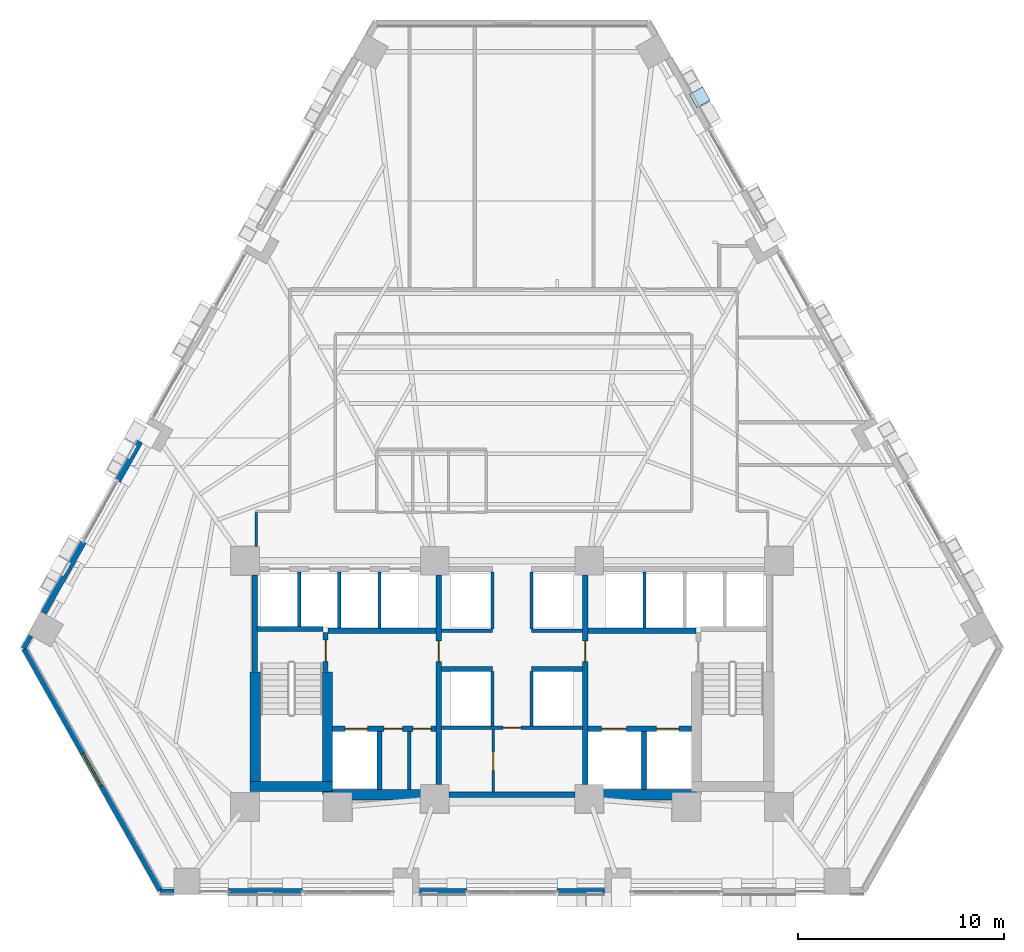
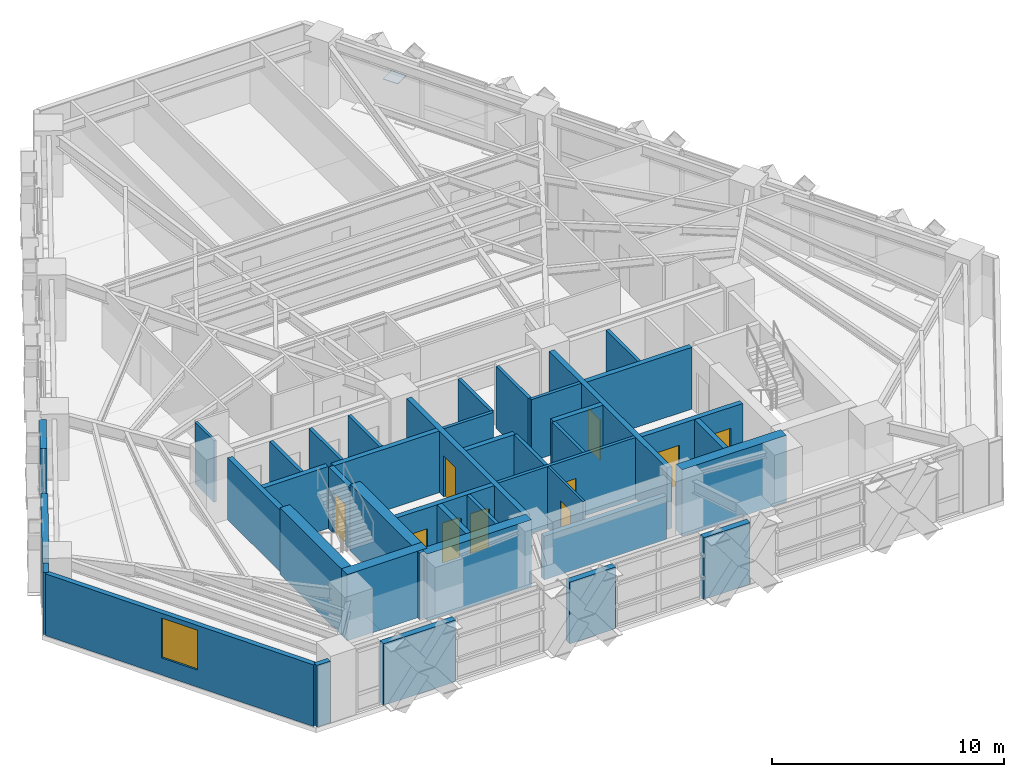
# One storey, part 7 of 13: 41 walls, 10 doors, 1 plate, 1 window, 11 openings.
"""IFC4 building model written with IfcOpenShell, lengths in metres."""

from ifc_helpers import new_model, si_unit, direction, frame, frame_2d, origin, origin_2d, place, context, subcontext, project, spatial, rectangle, extrude, material, layer, layer_set, type_object, element, fill, save


model = new_model("IFC4")

# Units and contexts
model_context = context("Model", 3, precision=1e-05, world=origin(), true_north=direction((0.0, 1.0)))
body_context = subcontext(model_context, "Body", "Model", "MODEL_VIEW")
ifc_project = project(units=[si_unit("LENGTHUNIT", "METRE"), si_unit("AREAUNIT", "SQUARE_METRE"), si_unit("VOLUMEUNIT", "CUBIC_METRE"), si_unit("PLANEANGLEUNIT", "RADIAN"), si_unit("MASSUNIT", "GRAM", prefix="KILO")], contexts=[model_context])

# Site, building, storey
site_placement = place(None, origin())
site = spatial("IfcSite", under=ifc_project, at=site_placement, CompositionType="ELEMENT")
building_placement = place(site_placement, origin())
building = spatial("IfcBuilding", under=site, at=building_placement, Name="Quenlor Broadcast Tower", CompositionType="ELEMENT")
storey_placement = place(building_placement, frame((0.0, 0.0, 31.10009765625)))
storey = spatial("IfcBuildingStorey", under=building, at=storey_placement, Name="L07", CompositionType="ELEMENT", Elevation=31.10009765625)

# Plate
ifc_material_1 = material(Name="Steel S355", Category="steel")
ifc_layer_1 = layer(ifc_material_1, 0.028076171875)
ifc_layer_set_1 = layer_set([ifc_layer_1], Name="Perimeter Lattice Node Steel S355 Cap Plate 740x740x28")
plate_type = type_object("IfcPlateType", Name="Perimeter Lattice Node Steel S355 Cap Plate 740x740x28", PredefinedType="USERDEFINED", material=ifc_layer_set_1)
plate_placement = place(storey_placement, frame((9.111083984375, 17.681640625, 1.61572265625), z_axis=(0.0, 0.0, 1.0), x_axis=(0.490295412055, -0.871556314255, 0.0)))
element("IfcPlate", 1, at=plate_placement, inside=storey, type_object=plate_type, Name="L07 Diamond Lattice Crossing Node NE-C1", ObjectType="CAP PLATE", PredefinedType="USERDEFINED", context=body_context, shape_type="SweptSolid", body=[
    extrude(rectangle(XDim=0.739990234375, YDim=0.739990234375, at=origin_2d()), origin(), (0.0, 0.0, 1.0), 0.028076171875),
])

# Walls
ifc_material_2 = material(Name="Concrete C65/80", Category="concrete")
ifc_layer_2 = layer(ifc_material_2, 0.5)
ifc_layer_set_2 = layer_set([ifc_layer_2], Name="Core Concrete C65/80 Shear Wall 500")
wall_type_1 = type_object("IfcWallType", Name="Core Concrete C65/80 Shear Wall 500", PredefinedType="SHEAR", material=ifc_layer_set_2)
wall_1_placement = place(storey_placement, frame((-12.699951171875, -15.75, 0.0), z_axis=(0.0, 0.0, 1.0), x_axis=(1.0, 0.0, 0.0)))
element("IfcWall", 2, at=wall_1_placement, inside=storey, type_object=wall_type_1, Name="L07 Core Shear Wall WS-W1", PredefinedType="SHEAR", context=body_context, shape_type="SweptSolid", body=[
    extrude(rectangle(XDim=4.0, YDim=0.5, at=frame_2d((2.0, 0.0))), origin(), (0.0, 0.0, 1.0), 3.5),
])
for number, where, z_axis, x_axis, name in (
    (3, (-8.949951171875, -16.14990234375, 0.0), (0.0, 0.0, 1.0), (1.0, 0.0, 0.0), "L07 Core Shear Wall WS-W2"),
    (4, (3.75, -16.14990234375, 0.0), (0.0, 0.0, 1.0), (1.0, 0.0, 0.0), "L07 Core Shear Wall WS-E1"),
):
    element("IfcWall", number, at=place(storey_placement, frame(where, z_axis=z_axis, x_axis=x_axis)), inside=storey, type_object=wall_type_1, Name=name, PredefinedType="SHEAR", context=body_context, shape_type="SweptSolid", body=[
        extrude(rectangle(XDim=5.199951171875, YDim=0.5, at=frame_2d((2.60009765625, 0.0))), origin(), (0.0, 0.0, 1.0), 3.5),
    ])
wall_2_placement = place(storey_placement, frame((-12.449951171875, -15.75, 0.0), z_axis=(0.0, 0.0, 1.0), x_axis=(0.0, 1.0, 0.0)))
element("IfcWall", 5, at=wall_2_placement, inside=storey, type_object=wall_type_1, Name="L07 Core Shear Wall WF-W", PredefinedType="SHEAR", context=body_context, shape_type="SweptSolid", body=[
    extrude(rectangle(XDim=5.550048828125, YDim=0.5, at=frame_2d((2.77490234375, 0.0))), origin(), (0.0, 0.0, 1.0), 3.5),
])
wall_3_placement = place(storey_placement, frame((-8.949951171875, -16.14990234375, 0.0), z_axis=(0.0, 0.0, 1.0), x_axis=(0.0, 1.0, 0.0)))
element("IfcWall", 6, at=wall_3_placement, inside=storey, type_object=wall_type_1, Name="L07 Core Shear Wall WI-W", PredefinedType="SHEAR", context=body_context, shape_type="SweptSolid", body=[
    extrude(rectangle(XDim=5.949951171875, YDim=0.5, at=frame_2d((2.97509765625, 0.0))), origin(), (0.0, 0.0, 1.0), 3.5),
])

# Wall, opening, door
ifc_material_3 = material(Name="Concrete C40/50", Category="concrete")
ifc_layer_3 = layer(ifc_material_3, 0.25)
ifc_layer_set_3 = layer_set([ifc_layer_3], Name="Fire Rated Concrete C40/50 Core Wall 250")
wall_type_2 = type_object("IfcWallType", Name="Fire Rated Concrete C40/50 Core Wall 250", PredefinedType="PARTITIONING", material=ifc_layer_set_3)
wall_4_placement = place(storey_placement, frame((-9.0400390625, -10.179931640625, 0.0), z_axis=(0.0, 0.0, 1.0), x_axis=(0.0, 1.0, 0.0)))
wall_4 = element("IfcWall", 7, at=wall_4_placement, inside=storey, type_object=wall_type_2, Name="L07 Interior Wall CW-ST1-DR", PredefinedType="PARTITIONING", context=body_context, shape_type="SweptSolid", body=[
    extrude(rectangle(XDim=1.89990234375, YDim=0.25, at=frame_2d((0.949951171875, 0.0))), origin(), (0.0, 0.0, 1.0), 3.25),
])
opening_1_placement = place(wall_4_placement, frame((0.47998046875, 0.0, 0.0)))
opening_1 = element("IfcOpeningElement", 8, at=opening_1_placement, cuts=wall_4, Name="Opening FD-1", PredefinedType="OPENING", context=body_context, shape_type="SweptSolid", body=[
    extrude(rectangle(XDim=1.050048828125, YDim=2.14990234375, at=frame_2d((0.52490234375, 1.074951171875))), frame((0.0, 0.135009765625, 0.0), z_axis=(0.0, -1.0, 0.0), x_axis=(1.0, 0.0, 0.0)), (0.0, 0.0, 1.0), 0.27001953125),
])
ifc_material_4 = material(Name="Fire Rated Steel Door Leaf", Category="steel")
door_type_1 = type_object("IfcDoorType", Name="Fire Isolated Stair Door 1050x2150", OperationType="NOTDEFINED", PredefinedType="DOOR", material=ifc_material_4)
door_1_placement = place(opening_1_placement, origin())
door_1 = element("IfcDoor", 9, at=door_1_placement, inside=storey, type_object=door_type_1, Name="L07 Door DR-ST1", OperationType="SINGLE_SWING_LEFT", OverallHeight=2.14990234375, OverallWidth=1.050048828125, PredefinedType="DOOR", context=body_context, shape_type="SweptSolid", body=[
    extrude(rectangle(XDim=1.050048828125, YDim=2.14990234375, at=frame_2d((0.52490234375, 1.074951171875))), frame((0.0, 0.02490234375, 0.0), z_axis=(0.0, -1.0, 0.0), x_axis=(1.0, 0.0, 0.0)), (0.0, 0.0, 1.0), 0.050048828125),
])
fill(opening_1, door_1)

# Walls
wall_5_placement = place(storey_placement, frame((-12.3798828125, -8.1201171875, 0.0), z_axis=(0.0, 0.0, 1.0), x_axis=(1.0, 0.0, 0.0)))
element("IfcWall", 10, at=wall_5_placement, inside=storey, type_object=wall_type_2, Name="L07 Interior Wall CW-ST1-N", PredefinedType="PARTITIONING", context=body_context, shape_type="SweptSolid", body=[
    extrude(rectangle(XDim=3.219970703125, YDim=0.25, at=frame_2d((1.60986328125, 0.0))), origin(), (0.0, 0.0, 1.0), 3.25),
])
wall_6_placement = place(storey_placement, frame((-12.47998046875, -10.179931640625, 0.0), z_axis=(0.0, 0.0, 1.0), x_axis=(0.0, 1.0, 0.0)))
element("IfcWall", 11, at=wall_6_placement, inside=storey, type_object=wall_type_2, Name="L07 Interior Wall CW-ST1-W2", PredefinedType="PARTITIONING", context=body_context, shape_type="SweptSolid", body=[
    extrude(rectangle(XDim=4.677978515625, YDim=0.25, at=frame_2d((2.3388671875, 0.0))), origin(), (0.0, 0.0, 1.0), 3.25),
])

# Wall, openings, doors
wall_7_placement = place(storey_placement, frame((-8.697998046875, -12.949951171875, 0.0), z_axis=(0.0, 0.0, 1.0), x_axis=(1.0, 0.0, 0.0)))
wall_7 = element("IfcWall", 12, at=wall_7_placement, inside=storey, type_object=wall_type_2, Name="L07 Interior Wall CW-FFW-S", PredefinedType="PARTITIONING", context=body_context, shape_type="SweptSolid", body=[
    extrude(rectangle(XDim=5.01806640625, YDim=0.25, at=frame_2d((2.509033203125, 0.0))), origin(), (0.0, 0.0, 1.0), 3.25),
])
opening_2_placement = place(wall_7_placement, frame((0.597900390625, 0.0, 0.0)))
opening_2 = element("IfcOpeningElement", 13, at=opening_2_placement, cuts=wall_7, Name="Opening LD-FFL-1", PredefinedType="OPENING", context=body_context, shape_type="SweptSolid", body=[
    extrude(rectangle(XDim=1.10009765625, YDim=2.14990234375, at=frame_2d((0.550048828125, 1.074951171875))), frame((0.0, 0.135009765625, 0.0), z_axis=(0.0, -1.0, 0.0), x_axis=(1.0, 0.0, 0.0)), (0.0, 0.0, 1.0), 0.27001953125),
])
opening_3_placement = place(wall_7_placement, frame((2.498046875, 0.0, 0.0)))
opening_3 = element("IfcOpeningElement", 14, at=opening_3_placement, cuts=wall_7, Name="Opening TD-1", PredefinedType="OPENING", context=body_context, shape_type="SweptSolid", body=[
    extrude(rectangle(XDim=0.8798828125, YDim=2.10009765625, at=frame_2d((0.43994140625, 1.050048828125))), frame((0.0, 0.135009765625, 0.0), z_axis=(0.0, -1.0, 0.0), x_axis=(1.0, 0.0, 0.0)), (0.0, 0.0, 1.0), 0.27001953125),
])
opening_4_placement = place(wall_7_placement, frame((3.89794921875, 0.0, 0.0)))
opening_4 = element("IfcOpeningElement", 15, at=opening_4_placement, cuts=wall_7, Name="Opening TD-1", PredefinedType="OPENING", context=body_context, shape_type="SweptSolid", body=[
    extrude(rectangle(XDim=0.8798828125, YDim=2.10009765625, at=frame_2d((0.43994140625, 1.050048828125))), frame((0.0, 0.135009765625, 0.0), z_axis=(0.0, -1.0, 0.0), x_axis=(1.0, 0.0, 0.0)), (0.0, 0.0, 1.0), 0.27001953125),
])
ifc_material_5 = material(Name="Brushed Stainless Steel", Category="steel")
door_type_2 = type_object("IfcDoorType", Name="Emergency Lift Sliding Landing Door 1100x2150", OperationType="NOTDEFINED", PredefinedType="DOOR", material=ifc_material_5)
door_2_placement = place(opening_2_placement, origin())
door_2 = element("IfcDoor", 16, at=door_2_placement, inside=storey, type_object=door_type_2, Name="L07 Door LD-FFL-1", OperationType="SLIDING_TO_LEFT", OverallHeight=2.14990234375, OverallWidth=1.10009765625, PredefinedType="DOOR", context=body_context, shape_type="SweptSolid", body=[
    extrude(rectangle(XDim=1.10009765625, YDim=2.14990234375, at=frame_2d((0.550048828125, 1.074951171875))), frame((0.0, 0.02490234375, 0.0), z_axis=(0.0, -1.0, 0.0), x_axis=(1.0, 0.0, 0.0)), (0.0, 0.0, 1.0), 0.050048828125),
])
fill(opening_2, door_2)
ifc_material_6 = material(Name="Fire Rated Steel Access Panel", Category="steel")
door_type_3 = type_object("IfcDoorType", Name="Riser Shaft Rated Access Trapdoor 880x2100", OperationType="NOTDEFINED", PredefinedType="TRAPDOOR", material=ifc_material_6)
door_3_placement = place(opening_3_placement, origin())
door_3 = element("IfcDoor", 17, at=door_3_placement, inside=storey, type_object=door_type_3, Name="L07 Door DR-ELR", OperationType="SINGLE_SWING_LEFT", OverallHeight=2.10009765625, OverallWidth=0.8798828125, PredefinedType="TRAPDOOR", context=body_context, shape_type="SweptSolid", body=[
    extrude(rectangle(XDim=0.8798828125, YDim=2.10009765625, at=frame_2d((0.43994140625, 1.050048828125))), frame((0.0, 0.02490234375, 0.0), z_axis=(0.0, -1.0, 0.0), x_axis=(1.0, 0.0, 0.0)), (0.0, 0.0, 1.0), 0.050048828125),
])
fill(opening_3, door_3)
door_4_placement = place(opening_4_placement, origin())
door_4 = element("IfcDoor", 18, at=door_4_placement, inside=storey, type_object=door_type_3, Name="L07 Door DR-CMR", OperationType="SINGLE_SWING_RIGHT", OverallHeight=2.10009765625, OverallWidth=0.8798828125, PredefinedType="TRAPDOOR", context=body_context, shape_type="SweptSolid", body=[
    extrude(rectangle(XDim=0.8798828125, YDim=2.10009765625, at=frame_2d((0.43994140625, 1.050048828125))), frame((0.0, 0.02490234375, 0.0), z_axis=(0.0, -1.0, 0.0), x_axis=(1.0, 0.0, 0.0)), (0.0, 0.0, 1.0), 0.050048828125),
])
fill(opening_4, door_4)

wall_8_placement = place(storey_placement, frame((3.679931640625, -12.949951171875, 0.0), z_axis=(0.0, 0.0, 1.0), x_axis=(1.0, 0.0, 0.0)))
wall_8 = element("IfcWall", 19, at=wall_8_placement, inside=storey, type_object=wall_type_2, Name="L07 Interior Wall CW-FFE-S", PredefinedType="PARTITIONING", context=body_context, shape_type="SweptSolid", body=[
    extrude(rectangle(XDim=5.01806640625, YDim=0.25, at=frame_2d((2.509033203125, 0.0))), origin(), (0.0, 0.0, 1.0), 3.25),
])
opening_5_placement = place(wall_8_placement, frame((3.320068359375, 0.0, 0.0)))
opening_5 = element("IfcOpeningElement", 20, at=opening_5_placement, cuts=wall_8, Name="Opening LD-FFL-2", PredefinedType="OPENING", context=body_context, shape_type="SweptSolid", body=[
    extrude(rectangle(XDim=1.10009765625, YDim=2.14990234375, at=frame_2d((0.550048828125, 1.074951171875))), frame((0.0, 0.135009765625, 0.0), z_axis=(0.0, -1.0, 0.0), x_axis=(1.0, 0.0, 0.0)), (0.0, 0.0, 1.0), 0.27001953125),
])
opening_6_placement = place(wall_8_placement, frame((0.669921875, 0.0, 0.0)))
opening_6 = element("IfcOpeningElement", 21, at=opening_6_placement, cuts=wall_8, Name="Opening LD-SVL-1", PredefinedType="OPENING", context=body_context, shape_type="SweptSolid", body=[
    extrude(rectangle(XDim=1.199951171875, YDim=2.14990234375, at=frame_2d((0.60009765625, 1.074951171875))), frame((0.0, 0.135009765625, 0.0), z_axis=(0.0, -1.0, 0.0), x_axis=(1.0, 0.0, 0.0)), (0.0, 0.0, 1.0), 0.27001953125),
])
door_5_placement = place(opening_5_placement, origin())
door_5 = element("IfcDoor", 22, at=door_5_placement, inside=storey, type_object=door_type_2, Name="L07 Door LD-FFL-2", OperationType="SLIDING_TO_RIGHT", OverallHeight=2.14990234375, OverallWidth=1.10009765625, PredefinedType="DOOR", context=body_context, shape_type="SweptSolid", body=[
    extrude(rectangle(XDim=1.10009765625, YDim=2.14990234375, at=frame_2d((0.550048828125, 1.074951171875))), frame((0.0, 0.02490234375, 0.0), z_axis=(0.0, -1.0, 0.0), x_axis=(1.0, 0.0, 0.0)), (0.0, 0.0, 1.0), 0.050048828125),
])
fill(opening_5, door_5)
ifc_material_7 = material(Name="Brushed Stainless Steel", Category="steel")
door_type_4 = type_object("IfcDoorType", Name="Goods Lift Sliding Landing Door 1200x2150", OperationType="NOTDEFINED", PredefinedType="DOOR", material=ifc_material_7)
door_6_placement = place(opening_6_placement, origin())
door_6 = element("IfcDoor", 23, at=door_6_placement, inside=storey, type_object=door_type_4, Name="L07 Door LD-SVL-1", OperationType="SLIDING_TO_LEFT", OverallHeight=2.14990234375, OverallWidth=1.199951171875, PredefinedType="DOOR", context=body_context, shape_type="SweptSolid", body=[
    extrude(rectangle(XDim=1.199951171875, YDim=2.14990234375, at=frame_2d((0.60009765625, 1.074951171875))), frame((0.0, 0.02490234375, 0.0), z_axis=(0.0, -1.0, 0.0), x_axis=(1.0, 0.0, 0.0)), (0.0, 0.0, 1.0), 0.050048828125),
])
fill(opening_6, door_6)

# Walls
for number, where, z_axis, x_axis, name in (
    (24, (-6.419921875, -15.89794921875, 0.0), (0.0, 0.0, 1.0), (0.0, 1.0, 0.0), "L07 Interior Wall CW-FF1-E"),
    (25, (6.39990234375, -15.89794921875, 0.0), (0.0, 0.0, 1.0), (0.0, 1.0, 0.0), "L07 Interior Wall CW-SV1-E"),
):
    element("IfcWall", number, at=place(storey_placement, frame(where, z_axis=z_axis, x_axis=x_axis)), inside=storey, type_object=wall_type_2, Name=name, PredefinedType="PARTITIONING", context=body_context, shape_type="SweptSolid", body=[
        extrude(rectangle(XDim=2.807861328125, YDim=0.25, at=frame_2d((1.40380859375, 0.0))), origin(), (0.0, 0.0, 1.0), 3.25),
    ])
for number, where, z_axis, x_axis, name in (
    (26, (-8.919921875, -8.199951171875, 0.0), (0.0, 0.0, 1.0), (1.0, 0.0, 0.0), "L07 Interior Wall CW-FFW-N"),
    (27, (3.679931640625, -8.199951171875, 0.0), (0.0, 0.0, 1.0), (1.0, 0.0, 0.0), "L07 Interior Wall CW-FFE-N"),
):
    element("IfcWall", number, at=place(storey_placement, frame(where, z_axis=z_axis, x_axis=x_axis)), inside=storey, type_object=wall_type_2, Name=name, PredefinedType="PARTITIONING", context=body_context, shape_type="SweptSolid", body=[
        extrude(rectangle(XDim=5.239990234375, YDim=0.25, at=frame_2d((2.6201171875, 0.0))), origin(), (0.0, 0.0, 1.0), 3.25),
    ])

# Wall, opening, door
wall_9_placement = place(storey_placement, frame((-3.550048828125, -15.64794921875, 0.0), z_axis=(0.0, 0.0, 1.0), x_axis=(0.0, 1.0, 0.0)))
wall_9 = element("IfcWall", 28, at=wall_9_placement, inside=storey, type_object=wall_type_2, Name="L07 Interior Wall CW-FFW-E", PredefinedType="PARTITIONING", context=body_context, shape_type="SweptSolid", body=[
    extrude(rectangle(XDim=10.14599609375, YDim=0.25, at=frame_2d((5.072998046875, 0.0))), origin(), (0.0, 0.0, 1.0), 3.25),
])
opening_7_placement = place(wall_9_placement, frame((5.947998046875, 0.0, 0.0)))
opening_7 = element("IfcOpeningElement", 29, at=opening_7_placement, cuts=wall_9, Name="Opening FD-2", PredefinedType="OPENING", context=body_context, shape_type="SweptSolid", body=[
    extrude(rectangle(XDim=1.0, YDim=2.14990234375, at=frame_2d((0.5, 1.074951171875))), frame((0.0, 0.135009765625, 0.0), z_axis=(0.0, -1.0, 0.0), x_axis=(1.0, 0.0, 0.0)), (0.0, 0.0, 1.0), 0.27001953125),
])
ifc_material_8 = material(Name="Fire Rated Glazed Steel Door", Category="steel")
door_type_5 = type_object("IfcDoorType", Name="Firefighting Lobby Smoke Door 1000x2150", OperationType="NOTDEFINED", PredefinedType="DOOR", material=ifc_material_8)
door_7_placement = place(opening_7_placement, origin())
door_7 = element("IfcDoor", 30, at=door_7_placement, inside=storey, type_object=door_type_5, Name="L07 Door DR-FFLW", OperationType="SINGLE_SWING_RIGHT", OverallHeight=2.14990234375, OverallWidth=1.0, PredefinedType="DOOR", context=body_context, shape_type="SweptSolid", body=[
    extrude(rectangle(XDim=1.0, YDim=2.14990234375, at=frame_2d((0.5, 1.074951171875))), frame((0.0, 0.02490234375, 0.0), z_axis=(0.0, -1.0, 0.0), x_axis=(1.0, 0.0, 0.0)), (0.0, 0.0, 1.0), 0.050048828125),
])
fill(opening_7, door_7)

wall_10_placement = place(storey_placement, frame((3.550048828125, -15.64794921875, 0.0), z_axis=(0.0, 0.0, 1.0), x_axis=(0.0, 1.0, 0.0)))
wall_10 = element("IfcWall", 31, at=wall_10_placement, inside=storey, type_object=wall_type_2, Name="L07 Interior Wall CW-FFE-W", PredefinedType="PARTITIONING", context=body_context, shape_type="SweptSolid", body=[
    extrude(rectangle(XDim=10.14599609375, YDim=0.25, at=frame_2d((5.072998046875, 0.0))), origin(), (0.0, 0.0, 1.0), 3.25),
])
opening_8_placement = place(wall_10_placement, frame((5.947998046875, 0.0, 0.0)))
opening_8 = element("IfcOpeningElement", 32, at=opening_8_placement, cuts=wall_10, Name="Opening FD-2", PredefinedType="OPENING", context=body_context, shape_type="SweptSolid", body=[
    extrude(rectangle(XDim=1.0, YDim=2.14990234375, at=frame_2d((0.5, 1.074951171875))), frame((0.0, 0.135009765625, 0.0), z_axis=(0.0, -1.0, 0.0), x_axis=(1.0, 0.0, 0.0)), (0.0, 0.0, 1.0), 0.27001953125),
])
door_8_placement = place(opening_8_placement, origin())
door_8 = element("IfcDoor", 33, at=door_8_placement, inside=storey, type_object=door_type_5, Name="L07 Door DR-FFLE", OperationType="SINGLE_SWING_LEFT", OverallHeight=2.14990234375, OverallWidth=1.0, PredefinedType="DOOR", context=body_context, shape_type="SweptSolid", body=[
    extrude(rectangle(XDim=1.0, YDim=2.14990234375, at=frame_2d((0.5, 1.074951171875))), frame((0.0, 0.02490234375, 0.0), z_axis=(0.0, -1.0, 0.0), x_axis=(1.0, 0.0, 0.0)), (0.0, 0.0, 1.0), 0.050048828125),
])
fill(opening_8, door_8)

# Walls
wall_11_placement = place(storey_placement, frame((-3.048095703125, -16.14990234375, 0.0), z_axis=(0.0, 0.0, 1.0), x_axis=(1.0, 0.0, 0.0)))
element("IfcWall", 34, at=wall_11_placement, inside=storey, type_object=wall_type_2, Name="L07 Interior Wall CW-MS-S", PredefinedType="PARTITIONING", context=body_context, shape_type="SweptSolid", body=[
    extrude(rectangle(XDim=6.09619140625, YDim=0.25, at=frame_2d((3.048095703125, 0.0))), origin(), (0.0, 0.0, 1.0), 2.2998046875),
])
for number, where, z_axis, x_axis, name in (
    (35, (-3.419921875, -10.050048828125, 0.0), (0.0, 0.0, 1.0), (1.0, 0.0, 0.0), "L07 Interior Wall CW-MS-N1"),
    (36, (0.949951171875, -10.050048828125, 0.0), (0.0, 0.0, 1.0), (1.0, 0.0, 0.0), "L07 Interior Wall CW-MS-N2"),
):
    element("IfcWall", number, at=place(storey_placement, frame(where, z_axis=z_axis, x_axis=x_axis)), inside=storey, type_object=wall_type_2, Name=name, PredefinedType="PARTITIONING", context=body_context, shape_type="SweptSolid", body=[
        extrude(rectangle(XDim=2.469970703125, YDim=0.25, at=frame_2d((1.23486328125, 0.0))), origin(), (0.0, 0.0, 1.0), 3.25),
    ])
ifc_material_9 = material(Name="Gypsum Fireboard Partition", Category="other")
ifc_layer_4 = layer(ifc_material_9, 0.159912109375)
ifc_layer_set_4 = layer_set([ifc_layer_4], Name="Fire Rated Shaft and Corridor Partition 160")
wall_type_3 = type_object("IfcWallType", Name="Fire Rated Shaft and Corridor Partition 160", PredefinedType="PARTITIONING", material=ifc_layer_set_4)
wall_12_placement = place(storey_placement, frame((-4.97998046875, -15.89794921875, 0.0), z_axis=(0.0, 0.0, 1.0), x_axis=(0.0, 1.0, 0.0)))
element("IfcWall", 37, at=wall_12_placement, inside=storey, type_object=wall_type_3, Name="L07 Interior Wall CW-ELR-E", PredefinedType="PARTITIONING", context=body_context, shape_type="SweptSolid", body=[
    extrude(rectangle(XDim=2.807861328125, YDim=0.159912109375, at=frame_2d((1.40380859375, 0.0))), origin(), (0.0, 0.0, 1.0), 3.25),
])
wall_13_placement = place(storey_placement, frame((-10.324951171875, -7.992919921875, 0.0), z_axis=(0.0, 0.0, 1.0), x_axis=(0.0, 1.0, 0.0)))
element("IfcWall", 38, at=wall_13_placement, inside=storey, type_object=wall_type_3, Name="L07 Interior Wall CW-PLL-D1", PredefinedType="PARTITIONING", context=body_context, shape_type="SweptSolid", body=[
    extrude(rectangle(XDim=2.65283203125, YDim=0.159912109375, at=frame_2d((1.326416015625, 0.0))), origin(), (0.0, 0.0, 1.0), 3.25),
])
for number, where, z_axis, x_axis, name in (
    (39, (-8.375, -8.072998046875, 0.0), (0.0, 0.0, 1.0), (0.0, 1.0, 0.0), "L07 Interior Wall CW-PLL-D2"),
    (40, (-6.425048828125, -8.072998046875, 0.0), (0.0, 0.0, 1.0), (0.0, 1.0, 0.0), "L07 Interior Wall CW-PLL-D3"),
    (41, (6.425048828125, -8.072998046875, 0.0), (0.0, 0.0, 1.0), (0.0, 1.0, 0.0), "L07 Interior Wall CW-PLH-D1"),
):
    element("IfcWall", number, at=place(storey_placement, frame(where, z_axis=z_axis, x_axis=x_axis)), inside=storey, type_object=wall_type_3, Name=name, PredefinedType="PARTITIONING", context=body_context, shape_type="SweptSolid", body=[
        extrude(rectangle(XDim=2.73291015625, YDim=0.159912109375, at=frame_2d((1.366455078125, 0.0))), origin(), (0.0, 0.0, 1.0), 3.25),
    ])
for number, where, z_axis, x_axis, name in (
    (42, (-0.949951171875, -8.1201171875, 0.0), (0.0, 0.0, 1.0), (0.0, 1.0, 0.0), "L07 Interior Wall CW-CCRP-W"),
    (43, (0.949951171875, -8.1201171875, 0.0), (0.0, 0.0, 1.0), (0.0, 1.0, 0.0), "L07 Interior Wall CW-CCRP-E"),
):
    element("IfcWall", number, at=place(storey_placement, frame(where, z_axis=z_axis, x_axis=x_axis)), inside=storey, type_object=wall_type_3, Name=name, PredefinedType="PARTITIONING", context=body_context, shape_type="SweptSolid", body=[
        extrude(rectangle(XDim=2.780029296875, YDim=0.159912109375, at=frame_2d((1.39013671875, 0.0))), origin(), (0.0, 0.0, 1.0), 3.25),
    ])
for number, where, z_axis, x_axis, name in (
    (44, (-3.419921875, -8.199951171875, 0.0), (0.0, 0.0, 1.0), (1.0, 0.0, 0.0), "L07 Interior Wall CW-M-BACK1"),
    (45, (0.949951171875, -8.199951171875, 0.0), (0.0, 0.0, 1.0), (1.0, 0.0, 0.0), "L07 Interior Wall CW-M-BACK2"),
):
    element("IfcWall", number, at=place(storey_placement, frame(where, z_axis=z_axis, x_axis=x_axis)), inside=storey, type_object=wall_type_3, Name=name, PredefinedType="PARTITIONING", context=body_context, shape_type="SweptSolid", body=[
        extrude(rectangle(XDim=2.469970703125, YDim=0.159912109375, at=frame_2d((1.23486328125, 0.0))), origin(), (0.0, 0.0, 1.0), 3.25),
    ])

# Wall, opening, door
wall_14_placement = place(storey_placement, frame((-3.419921875, -12.89990234375, 0.0), z_axis=(0.0, 0.0, 1.0), x_axis=(1.0, 0.0, 0.0)))
wall_14 = element("IfcWall", 46, at=wall_14_placement, inside=storey, type_object=wall_type_3, Name="L07 Interior Wall CW-MS-B", PredefinedType="PARTITIONING", context=body_context, shape_type="SweptSolid", body=[
    extrude(rectangle(XDim=6.83984375, YDim=0.159912109375, at=frame_2d((3.419921875, 0.0))), origin(), (0.0, 0.0, 1.0), 3.25),
])
opening_9_placement = place(wall_14_placement, frame((2.97998046875, 0.0, 0.0)))
opening_9 = element("IfcOpeningElement", 47, at=opening_9_placement, cuts=wall_14, Name="Opening ID-4", PredefinedType="OPENING", context=body_context, shape_type="SweptSolid", body=[
    extrude(rectangle(XDim=0.8798828125, YDim=2.1201171875, at=frame_2d((0.43994140625, 1.06005859375))), frame((0.0, 0.08984375, 0.0), z_axis=(0.0, -1.0, 0.0), x_axis=(1.0, 0.0, 0.0)), (0.0, 0.0, 1.0), 0.179931640625),
])
ifc_material_10 = material(Name="Solid Core Timber Oak", Category="wood")
door_type_6 = type_object("IfcDoorType", Name="Service Closet Timber Door 880x2120", OperationType="NOTDEFINED", PredefinedType="DOOR", material=ifc_material_10)
door_9_placement = place(opening_9_placement, origin())
door_9 = element("IfcDoor", 48, at=door_9_placement, inside=storey, type_object=door_type_6, Name="L07 Door DR-CSV0", OperationType="SINGLE_SWING_LEFT", OverallHeight=2.1201171875, OverallWidth=0.8798828125, PredefinedType="DOOR", context=body_context, shape_type="SweptSolid", body=[
    extrude(rectangle(XDim=0.8798828125, YDim=2.1201171875, at=frame_2d((0.43994140625, 1.06005859375))), frame((0.0, 0.02490234375, 0.0), z_axis=(0.0, -1.0, 0.0), x_axis=(1.0, 0.0, 0.0)), (0.0, 0.0, 1.0), 0.050048828125),
])
fill(opening_9, door_9)

# Walls
for number, where, z_axis, x_axis, name in (
    (49, (-0.949951171875, -12.818115234375, 0.0), (0.0, 0.0, 1.0), (0.0, 1.0, 0.0), "L07 Interior Wall CW-MS-W"),
    (50, (0.949951171875, -12.818115234375, 0.0), (0.0, 0.0, 1.0), (0.0, 1.0, 0.0), "L07 Interior Wall CW-MS-E"),
):
    element("IfcWall", number, at=place(storey_placement, frame(where, z_axis=z_axis, x_axis=x_axis)), inside=storey, type_object=wall_type_3, Name=name, PredefinedType="PARTITIONING", context=body_context, shape_type="SweptSolid", body=[
        extrude(rectangle(XDim=2.63818359375, YDim=0.159912109375, at=frame_2d((1.319091796875, 0.0))), origin(), (0.0, 0.0, 1.0), 3.25),
    ])

# Wall, opening, door
ifc_material_11 = material(Name="Gypsum Plasterboard Partition", Category="other")
ifc_layer_5 = layer(ifc_material_11, 0.1201171875)
ifc_layer_set_5 = layer_set([ifc_layer_5], Name="Standard Office Partition 120")
wall_type_4 = type_object("IfcWallType", Name="Standard Office Partition 120", PredefinedType="PARTITIONING", material=ifc_layer_set_5)
wall_15_placement = place(storey_placement, frame((-0.909912109375, -16.02001953125, 0.0), z_axis=(0.0, 0.0, 1.0), x_axis=(0.0, 1.0, 0.0)))
wall_15 = element("IfcWall", 51, at=wall_15_placement, inside=storey, type_object=wall_type_4, Name="L07 Interior Wall CW-CSV-W1", PredefinedType="PARTITIONING", context=body_context, shape_type="SweptSolid", body=[
    extrude(rectangle(XDim=3.0380859375, YDim=0.1201171875, at=frame_2d((1.51904296875, 0.0))), origin(), (0.0, 0.0, 1.0), 3.25),
])
opening_10_placement = place(wall_15_placement, frame((1.050048828125, 0.0, 0.0)))
opening_10 = element("IfcOpeningElement", 52, at=opening_10_placement, cuts=wall_15, Name="Opening ID-4", PredefinedType="OPENING", context=body_context, shape_type="SweptSolid", body=[
    extrude(rectangle(XDim=0.8798828125, YDim=2.1201171875, at=frame_2d((0.43994140625, 1.06005859375))), frame((0.0, 0.070068359375, 0.0), z_axis=(0.0, -1.0, 0.0), x_axis=(1.0, 0.0, 0.0)), (0.0, 0.0, 1.0), 0.14013671875),
])
door_10_placement = place(opening_10_placement, origin())
door_10 = element("IfcDoor", 53, at=door_10_placement, inside=storey, type_object=door_type_6, Name="L07 Door DR-CSV1", OperationType="SINGLE_SWING_LEFT", OverallHeight=2.1201171875, OverallWidth=0.8798828125, PredefinedType="DOOR", context=body_context, shape_type="SweptSolid", body=[
    extrude(rectangle(XDim=0.8798828125, YDim=2.1201171875, at=frame_2d((0.43994140625, 1.06005859375))), frame((0.0, 0.02490234375, 0.0), z_axis=(0.0, -1.0, 0.0), x_axis=(1.0, 0.0, 0.0)), (0.0, 0.0, 1.0), 0.050048828125),
])
fill(opening_10, door_10)

# Walls
wall_16_placement = place(storey_placement, frame((-12.409912109375, -4.097900390625, 0.0), z_axis=(0.0, 0.0, 1.0), x_axis=(0.0, 1.0, 0.0)))
element("IfcWall", 54, at=wall_16_placement, inside=storey, type_object=wall_type_4, Name="L07 Interior Wall PW-CR-07", PredefinedType="PARTITIONING", context=body_context, shape_type="SweptSolid", body=[
    extrude(rectangle(XDim=1.635986328125, YDim=0.1201171875, at=frame_2d((0.81787109375, 0.0))), origin(), (0.0, 0.0, 1.0), 3.25),
])
ifc_material_12 = material(Name="Precast concrete C40/50", Category="concrete")
ifc_layer_6 = layer(ifc_material_12, 0.239990234375)
ifc_layer_set_6 = layer_set([ifc_layer_6], Name="Terrace Threshold Precast Concrete C40/50 Wall 240")
wall_type_5 = type_object("IfcWallType", Name="Terrace Threshold Precast Concrete C40/50 Wall 240", PredefinedType="STANDARD", material=ifc_layer_set_6)
wall_17_placement = place(storey_placement, frame((-16.39501953125, -20.840087890625, 0.0), z_axis=(0.0, 0.0, 1.0), x_axis=(-1.0, 0.0, 0.0)))
element("IfcWall", 55, at=wall_17_placement, inside=storey, type_object=wall_type_5, Name="L07 Exterior Wall L07-SHD-SS1", PredefinedType="STANDARD", context=body_context, shape_type="SweptSolid", body=[
    extrude(rectangle(XDim=0.680908203125, YDim=0.239990234375, at=frame_2d((0.34033203125, 0.0))), origin(), (0.0, 0.0, 1.0), 3.25),
])
wall_18_placement = place(storey_placement, frame((-23.69921875, -9.05810546875, 0.0), z_axis=(0.0, 0.0, 1.0), x_axis=(0.490523074758, 0.871428203084, 0.0)))
element("IfcWall", 56, at=wall_18_placement, inside=storey, type_object=wall_type_5, Name="L07 Exterior Wall L07-SHD-NWS0", PredefinedType="STANDARD", context=body_context, shape_type="SweptSolid", body=[
    extrude(rectangle(XDim=0.708251953125, YDim=0.239990234375, at=frame_2d((0.35400390625, 0.0))), origin(), (0.0, 0.0, 1.0), 3.25),
])

# Wall, opening, window
wall_19_placement = place(storey_placement, frame((-23.659912109375, -9.07568359375, 0.0), z_axis=(0.0, 0.0, 1.0), x_axis=(0.490268135177, -0.871571658345, 0.0)))
wall_19 = element("IfcWall", 57, at=wall_19_placement, inside=storey, type_object=wall_type_5, Name="L07 Exterior Wall L07-CNR-04", PredefinedType="STANDARD", context=body_context, shape_type="SweptSolid", body=[
    extrude(rectangle(XDim=13.44775390625, YDim=0.239990234375, at=frame_2d((6.723876953125, 0.0))), origin(), (0.0, 0.0, 1.0), 3.25),
])
opening_11_placement = place(wall_19_placement, frame((5.823974609375, 0.0, 0.89990234375)))
opening_11 = element("IfcOpeningElement", 58, at=opening_11_placement, cuts=wall_19, Name="Opening WN-1", PredefinedType="OPENING", context=body_context, shape_type="SweptSolid", body=[
    extrude(rectangle(XDim=1.800048828125, YDim=2.10009765625, at=frame_2d((0.89990234375, 1.050048828125))), frame((0.0, 0.1298828125, 0.0), z_axis=(0.0, -1.0, 0.0), x_axis=(1.0, 0.0, 0.0)), (0.0, 0.0, 1.0), 0.260009765625),
])
ifc_material_13 = material(Name="Thermally Broken Aluminium and Low-E Glass", Category="aluminium")
window_type = type_object("IfcWindowType", Name="Tower Acoustic Vision Window 1800x2100", PartitioningType="SINGLE_PANEL", PredefinedType="WINDOW", material=ifc_material_13)
window_placement = place(opening_11_placement, origin())
window = element("IfcWindow", 59, at=window_placement, inside=storey, type_object=window_type, Name="L07 Corner Chamfer Window 4", OverallHeight=2.10009765625, OverallWidth=1.800048828125, PartitioningType="SINGLE_PANEL", PredefinedType="WINDOW", context=body_context, shape_type="SweptSolid", body=[
    extrude(rectangle(XDim=1.800048828125, YDim=2.10009765625, at=frame_2d((0.89990234375, 1.050048828125))), frame((0.0, 0.030029296875, 0.0), z_axis=(0.0, -1.0, 0.0), x_axis=(1.0, 0.0, 0.0)), (0.0, 0.0, 1.0), 0.06005859375),
])
fill(opening_11, window)

# Walls
ifc_material_14 = material(Name="Precast concrete C40/50", Category="concrete")
ifc_layer_7 = layer(ifc_material_14, 0.300048828125)
ifc_layer_set_7 = layer_set([ifc_layer_7], Name="Terracotta Precast Concrete C40/50 Spandrel Wall 300")
wall_type_6 = type_object("IfcWallType", Name="Terracotta Precast Concrete C40/50 Spandrel Wall 300", PredefinedType="STANDARD", material=ifc_layer_set_7)
wall_20_placement = place(storey_placement, frame((-10.1748046875, -20.840087890625, 0.0), z_axis=(0.0, 0.0, 1.0), x_axis=(-1.0, 0.0, 0.0)))
element("IfcWall", 60, at=wall_20_placement, inside=storey, type_object=wall_type_6, Name="L07 Exterior Wall L07-SC-SP1", PredefinedType="STANDARD", context=body_context, shape_type="SweptSolid", body=[
    extrude(rectangle(XDim=3.592041015625, YDim=0.300048828125, at=frame_2d((1.7958984375, 0.0))), origin(), (0.0, 0.0, 1.0), 3.25),
])
for number, where, z_axis, x_axis, name in (
    (61, (4.495849609375, -20.840087890625, 0.0), (0.0, 0.0, 1.0), (-1.0, 0.0, 0.0), "L07 Exterior Wall L07-S-SP1"),
    (62, (-2.194091796875, -20.840087890625, 0.0), (0.0, 0.0, 1.0), (-1.0, 0.0, 0.0), "L07 Exterior Wall L07-S-SP2"),
):
    element("IfcWall", number, at=place(storey_placement, frame(where, z_axis=z_axis, x_axis=x_axis)), inside=storey, type_object=wall_type_6, Name=name, PredefinedType="STANDARD", context=body_context, shape_type="SweptSolid", body=[
        extrude(rectangle(XDim=2.3017578125, YDim=0.300048828125, at=frame_2d((1.15087890625, 0.0))), origin(), (0.0, 0.0, 1.0), 3.25),
    ])
wall_21_placement = place(storey_placement, frame((-22.724365234375, -7.3251953125, 0.0), z_axis=(0.0, 0.0, 1.0), x_axis=(0.490267098362, 0.871572241563, 0.0)))
element("IfcWall", 63, at=wall_21_placement, inside=storey, type_object=wall_type_6, Name="L07 Exterior Wall L07-NWA-SP1", PredefinedType="STANDARD", context=body_context, shape_type="SweptSolid", body=[
    extrude(rectangle(XDim=3.956787109375, YDim=0.300048828125, at=frame_2d((1.978515625, 0.0))), origin(), (0.0, 0.0, 1.0), 3.25),
])
wall_22_placement = place(storey_placement, frame((-19.126953125, -0.9296875, 0.0), z_axis=(0.0, 0.0, 1.0), x_axis=(0.490277063651, 0.871566635925, 0.0)))
element("IfcWall", 64, at=wall_22_placement, inside=storey, type_object=wall_type_6, Name="L07 Exterior Wall L07-NWA-SP2", PredefinedType="STANDARD", context=body_context, shape_type="SweptSolid", body=[
    extrude(rectangle(XDim=2.197509765625, YDim=0.300048828125, at=frame_2d((1.0986328125, 0.0))), origin(), (0.0, 0.0, 1.0), 3.25),
])

save(model, "model.ifc")
